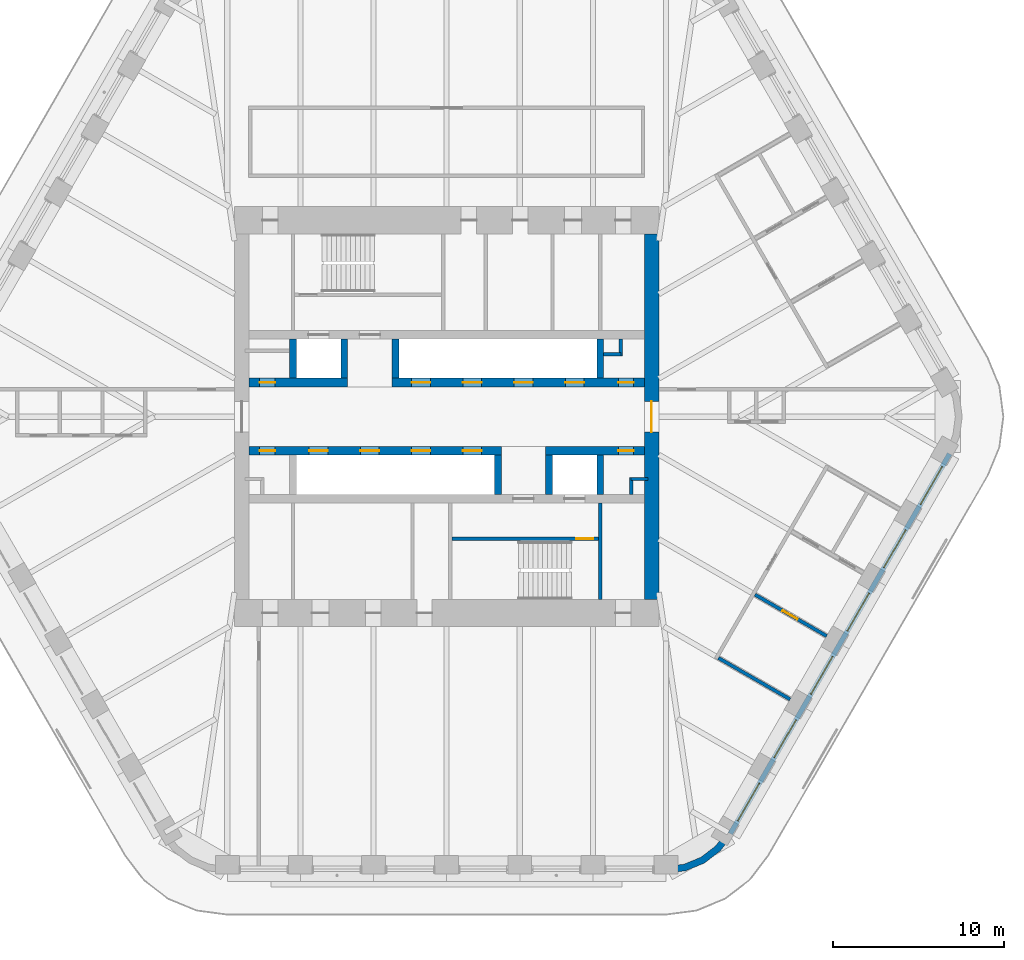
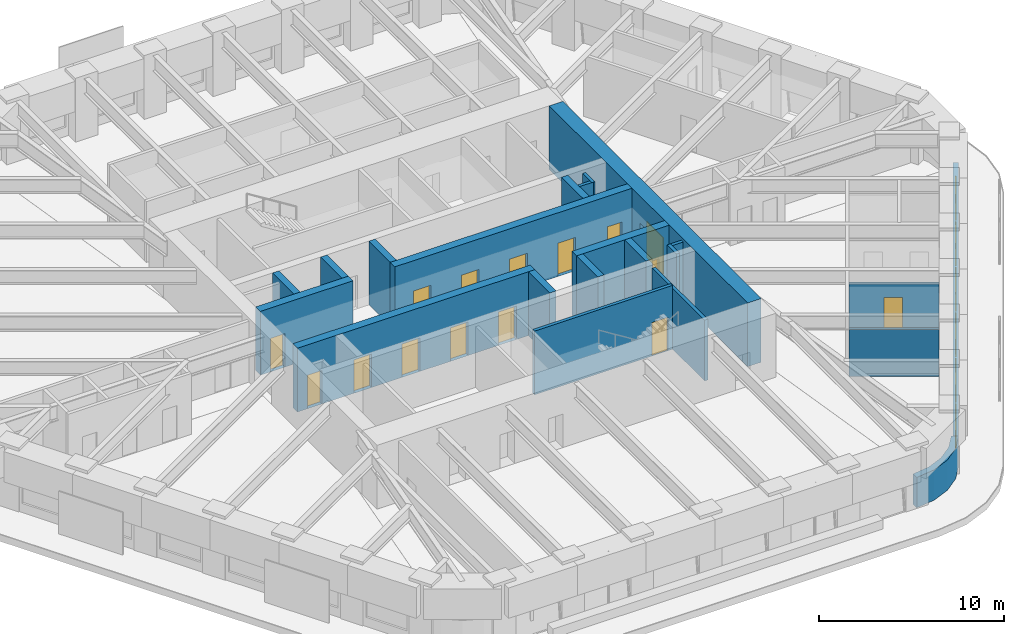
# One storey, part 14 of 18: 22 walls, 15 doors, 6 windows, 21 openings.
"""IFC4 building model written with IfcOpenShell, lengths in metres."""

from ifc_helpers import new_model, si_unit, direction, frame, frame_2d, origin, place, context, subcontext, project, spatial, polyline, rectangle, outline, extrude, material, layer, layer_set, type_object, element, fill, save


model = new_model("IFC4")

# Units and contexts
model_context = context("Model", 3, precision=1e-05, world=origin(), true_north=direction((0.0, 1.0)))
body_context = subcontext(model_context, "Body", "Model", "MODEL_VIEW")
ifc_project = project(units=[si_unit("LENGTHUNIT", "METRE"), si_unit("AREAUNIT", "SQUARE_METRE"), si_unit("VOLUMEUNIT", "CUBIC_METRE"), si_unit("PLANEANGLEUNIT", "RADIAN"), si_unit("MASSUNIT", "GRAM", prefix="KILO")], contexts=[model_context])

# Site, building, storey
site_placement = place(None, origin())
site = spatial("IfcSite", under=ifc_project, at=site_placement, CompositionType="ELEMENT")
building_placement = place(site_placement, origin())
building = spatial("IfcBuilding", under=site, at=building_placement, Name="Tarfa Lantern Tower", CompositionType="ELEMENT")
storey_placement = place(building_placement, frame((0.0, 0.0, 319.89990234375)))
storey = spatial("IfcBuildingStorey", under=building, at=storey_placement, Name="L72", CompositionType="ELEMENT", Elevation=319.89990234375)

# Wall, openings, windows
ifc_material_1 = material(Name="Limestone cladding on blockwork", Category="masonry")
ifc_layer_1 = layer(ifc_material_1, 0.300048828125)
ifc_layer_set_1 = layer_set([ifc_layer_1], Name="EW1 STONE-CLAD WALL 300")
wall_type_1 = type_object("IfcWallType", Name="EW1 STONE-CLAD WALL 300", PredefinedType="SOLIDWALL", material=ifc_layer_set_1)
wall_1_placement = place(storey_placement, frame((16.61328125, -24.425048828125, 0.0), z_axis=(0.0, 0.0, 1.0), x_axis=(0.499997191038, 0.866027025533, 0.0)))
wall_1 = element("IfcWall", 1, at=wall_1_placement, inside=storey, type_object=wall_type_1, Name="Stone wall SE", PredefinedType="SOLIDWALL", context=body_context, shape_type="SweptSolid", body=[
    extrude(rectangle(XDim=25.692138671875, YDim=0.300048828125, at=frame_2d((12.84619140625, 0.0))), origin(), (0.0, 0.0, 1.0), 2.0),
])
opening_1_placement = place(wall_1_placement, frame((0.865966796875, 0.0, 0.60009765625)))
opening_1 = element("IfcOpeningElement", 2, at=opening_1_placement, cuts=wall_1, Name="Opening W16", PredefinedType="OPENING", context=body_context, shape_type="SweptSolid", body=[
    extrude(rectangle(XDim=2.550048828125, YDim=1.14990234375, at=frame_2d((1.27490234375, 0.574951171875))), frame((0.0, 0.159912109375, 0.0), z_axis=(0.0, -1.0, 0.0), x_axis=(1.0, 0.0, 0.0)), (0.0, 0.0, 1.0), 0.320068359375),
])
opening_2_placement = place(wall_1_placement, frame((5.14794921875, 0.0, 0.60009765625)))
opening_2 = element("IfcOpeningElement", 3, at=opening_2_placement, cuts=wall_1, Name="Opening W16", PredefinedType="OPENING", context=body_context, shape_type="SweptSolid", body=[
    extrude(rectangle(XDim=2.550048828125, YDim=1.14990234375, at=frame_2d((1.27490234375, 0.574951171875))), frame((0.0, 0.159912109375, 0.0), z_axis=(0.0, -1.0, 0.0), x_axis=(1.0, 0.0, 0.0)), (0.0, 0.0, 1.0), 0.320068359375),
])
opening_3_placement = place(wall_1_placement, frame((9.429931640625, 0.0, 0.60009765625)))
opening_3 = element("IfcOpeningElement", 4, at=opening_3_placement, cuts=wall_1, Name="Opening W16", PredefinedType="OPENING", context=body_context, shape_type="SweptSolid", body=[
    extrude(rectangle(XDim=2.550048828125, YDim=1.14990234375, at=frame_2d((1.27490234375, 0.574951171875))), frame((0.0, 0.159912109375, 0.0), z_axis=(0.0, -1.0, 0.0), x_axis=(1.0, 0.0, 0.0)), (0.0, 0.0, 1.0), 0.320068359375),
])
opening_4_placement = place(wall_1_placement, frame((13.712158203125, 0.0, 0.60009765625)))
opening_4 = element("IfcOpeningElement", 5, at=opening_4_placement, cuts=wall_1, Name="Opening W16", PredefinedType="OPENING", context=body_context, shape_type="SweptSolid", body=[
    extrude(rectangle(XDim=2.550048828125, YDim=1.14990234375, at=frame_2d((1.27490234375, 0.574951171875))), frame((0.0, 0.159912109375, 0.0), z_axis=(0.0, -1.0, 0.0), x_axis=(1.0, 0.0, 0.0)), (0.0, 0.0, 1.0), 0.320068359375),
])
opening_5_placement = place(wall_1_placement, frame((17.994140625, 0.0, 0.60009765625)))
opening_5 = element("IfcOpeningElement", 6, at=opening_5_placement, cuts=wall_1, Name="Opening W16", PredefinedType="OPENING", context=body_context, shape_type="SweptSolid", body=[
    extrude(rectangle(XDim=2.550048828125, YDim=1.14990234375, at=frame_2d((1.27490234375, 0.574951171875))), frame((0.0, 0.159912109375, 0.0), z_axis=(0.0, -1.0, 0.0), x_axis=(1.0, 0.0, 0.0)), (0.0, 0.0, 1.0), 0.320068359375),
])
opening_6_placement = place(wall_1_placement, frame((22.276123046875, 0.0, 0.60009765625)))
opening_6 = element("IfcOpeningElement", 7, at=opening_6_placement, cuts=wall_1, Name="Opening W16", PredefinedType="OPENING", context=body_context, shape_type="SweptSolid", body=[
    extrude(rectangle(XDim=2.550048828125, YDim=1.14990234375, at=frame_2d((1.27490234375, 0.574951171875))), frame((0.0, 0.159912109375, 0.0), z_axis=(0.0, -1.0, 0.0), x_axis=(1.0, 0.0, 0.0)), (0.0, 0.0, 1.0), 0.320068359375),
])
ifc_material_2 = material(Name="Aluminium frame, double glazed", Category="aluminium")
window_type = type_object("IfcWindowType", Name="W16 FULL-HEIGHT GLAZING 2550x1150", PartitioningType="SINGLE_PANEL", PredefinedType="WINDOW", material=ifc_material_2)
window_1_placement = place(opening_1_placement, origin())
window_1 = element("IfcWindow", 8, at=window_1_placement, inside=storey, type_object=window_type, Name="Window SE 1", OverallHeight=1.14990234375, OverallWidth=2.550048828125, PartitioningType="SINGLE_PANEL", PredefinedType="WINDOW", context=body_context, shape_type="SweptSolid", body=[
    extrude(rectangle(XDim=2.550048828125, YDim=1.14990234375, at=frame_2d((1.27490234375, 0.574951171875))), frame((0.0, 0.030029296875, 0.0), z_axis=(0.0, -1.0, 0.0), x_axis=(1.0, 0.0, 0.0)), (0.0, 0.0, 1.0), 0.06005859375),
])
fill(opening_1, window_1)
window_2_placement = place(opening_2_placement, origin())
window_2 = element("IfcWindow", 9, at=window_2_placement, inside=storey, type_object=window_type, Name="Window SE 2", OverallHeight=1.14990234375, OverallWidth=2.550048828125, PartitioningType="SINGLE_PANEL", PredefinedType="WINDOW", context=body_context, shape_type="SweptSolid", body=[
    extrude(rectangle(XDim=2.550048828125, YDim=1.14990234375, at=frame_2d((1.27490234375, 0.574951171875))), frame((0.0, 0.030029296875, 0.0), z_axis=(0.0, -1.0, 0.0), x_axis=(1.0, 0.0, 0.0)), (0.0, 0.0, 1.0), 0.06005859375),
])
fill(opening_2, window_2)
window_3_placement = place(opening_3_placement, origin())
window_3 = element("IfcWindow", 10, at=window_3_placement, inside=storey, type_object=window_type, Name="Window SE 3", OverallHeight=1.14990234375, OverallWidth=2.550048828125, PartitioningType="SINGLE_PANEL", PredefinedType="WINDOW", context=body_context, shape_type="SweptSolid", body=[
    extrude(rectangle(XDim=2.550048828125, YDim=1.14990234375, at=frame_2d((1.27490234375, 0.574951171875))), frame((0.0, 0.030029296875, 0.0), z_axis=(0.0, -1.0, 0.0), x_axis=(1.0, 0.0, 0.0)), (0.0, 0.0, 1.0), 0.06005859375),
])
fill(opening_3, window_3)
window_4_placement = place(opening_4_placement, origin())
window_4 = element("IfcWindow", 11, at=window_4_placement, inside=storey, type_object=window_type, Name="Window SE 4", OverallHeight=1.14990234375, OverallWidth=2.550048828125, PartitioningType="SINGLE_PANEL", PredefinedType="WINDOW", context=body_context, shape_type="SweptSolid", body=[
    extrude(rectangle(XDim=2.550048828125, YDim=1.14990234375, at=frame_2d((1.27490234375, 0.574951171875))), frame((0.0, 0.030029296875, 0.0), z_axis=(0.0, -1.0, 0.0), x_axis=(1.0, 0.0, 0.0)), (0.0, 0.0, 1.0), 0.06005859375),
])
fill(opening_4, window_4)
window_5_placement = place(opening_5_placement, origin())
window_5 = element("IfcWindow", 12, at=window_5_placement, inside=storey, type_object=window_type, Name="Window SE 5", OverallHeight=1.14990234375, OverallWidth=2.550048828125, PartitioningType="SINGLE_PANEL", PredefinedType="WINDOW", context=body_context, shape_type="SweptSolid", body=[
    extrude(rectangle(XDim=2.550048828125, YDim=1.14990234375, at=frame_2d((1.27490234375, 0.574951171875))), frame((0.0, 0.030029296875, 0.0), z_axis=(0.0, -1.0, 0.0), x_axis=(1.0, 0.0, 0.0)), (0.0, 0.0, 1.0), 0.06005859375),
])
fill(opening_5, window_5)
window_6_placement = place(opening_6_placement, origin())
window_6 = element("IfcWindow", 13, at=window_6_placement, inside=storey, type_object=window_type, Name="Window SE 6", OverallHeight=1.14990234375, OverallWidth=2.550048828125, PartitioningType="SINGLE_PANEL", PredefinedType="WINDOW", context=body_context, shape_type="SweptSolid", body=[
    extrude(rectangle(XDim=2.550048828125, YDim=1.14990234375, at=frame_2d((1.27490234375, 0.574951171875))), frame((0.0, 0.030029296875, 0.0), z_axis=(0.0, -1.0, 0.0), x_axis=(1.0, 0.0, 0.0)), (0.0, 0.0, 1.0), 0.06005859375),
])
fill(opening_6, window_6)

# Walls
ifc_layer_2 = layer(ifc_material_1, 0.39990234375)
ifc_layer_set_2 = layer_set([ifc_layer_2], Name="EW2 CURVED STONE CORNER 400")
wall_type_2 = type_object("IfcWallType", Name="EW2 CURVED STONE CORNER 400", PredefinedType="SOLIDWALL", material=ifc_layer_set_2)
wall_2_placement = place(storey_placement, origin())
element("IfcWall", 14, at=wall_2_placement, inside=storey, type_object=wall_type_2, Name="Stone corner S-SE", PredefinedType="SOLIDWALL", context=body_context, shape_type="SweptSolid", body=[
    extrude(outline(polyline([(12.845947265625, -26.75), (14.0107421875, -26.5966796875), (15.095947265625, -26.147216796875), (16.028076171875, -25.431884765625), (16.7431640625, -24.5), (16.396728515625, -24.300048828125), (15.7451171875, -25.149169921875), (14.89599609375, -25.80078125), (13.9072265625, -26.210205078125), (12.845947265625, -26.35009765625), (12.845947265625, -26.75)])), origin(), (0.0, 0.0, 1.0), 2.0),
])
ifc_material_3 = material(Name="Concrete blockwork", Category="masonry")
ifc_layer_3 = layer(ifc_material_3, 0.199951171875)
ifc_layer_set_3 = layer_set([ifc_layer_3], Name="IW1 BLOCKWORK PARTITION 200 EI 120")
wall_type_3 = type_object("IfcWallType", Name="IW1 BLOCKWORK PARTITION 200 EI 120", PredefinedType="PARTITIONING", material=ifc_layer_set_3)
wall_3_placement = place(storey_placement, frame((9.0, -5.050048828125, 0.0), z_axis=(0.0, 0.0, 1.0), x_axis=(0.0, -1.0, 0.0)))
element("IfcWall", 15, at=wall_3_placement, inside=storey, type_object=wall_type_3, Name="Core partition", PredefinedType="PARTITIONING", context=body_context, shape_type="SweptSolid", body=[
    extrude(rectangle(XDim=5.64990234375, YDim=0.199951171875, at=frame_2d((2.824951171875, 0.0))), origin(), (0.0, 0.0, 1.0), 4.0),
])
for number, where, z_axis, x_axis, name in (
    (16, (9.199951171875, 3.64990234375, 0.0), (0.0, 0.0, 1.0), (1.0, 0.0, 0.0), "Core partition"),
    (17, (10.199951171875, 3.550048828125, 0.0), (0.0, 0.0, 1.0), (0.0, 1.0, 0.0), "Core partition"),
    (18, (11.800048828125, -3.64990234375, 0.0), (0.0, 0.0, 1.0), (-1.0, 0.0, 0.0), "Core partition"),
    (19, (10.800048828125, -3.550048828125, 0.0), (0.0, 0.0, 1.0), (0.0, -1.0, 0.0), "Core partition"),
):
    element("IfcWall", number, at=place(storey_placement, frame(where, z_axis=z_axis, x_axis=x_axis)), inside=storey, type_object=wall_type_3, Name=name, PredefinedType="PARTITIONING", context=body_context, shape_type="SweptSolid", body=[
        extrude(rectangle(XDim=1.0, YDim=0.199951171875, at=frame_2d((0.5, 0.0))), origin(), (0.0, 0.0, 1.0), 4.0),
    ])
ifc_material_4 = material(Name="Gypsum board on steel studs", Category="steel")
ifc_layer_4 = layer(ifc_material_4, 0.2099609375)
ifc_layer_set_4 = layer_set([ifc_layer_4], Name="IW2 ACOUSTIC PARTITION 200")
wall_type_4 = type_object("IfcWallType", Name="IW2 ACOUSTIC PARTITION 200", PredefinedType="PARTITIONING", material=ifc_layer_set_4)
wall_4_placement = place(storey_placement, frame((15.91552734375, -14.13330078125, 0.0), z_axis=(0.0, 0.0, 1.0), x_axis=(0.866032190624, -0.499988244665, 0.0)))
element("IfcWall", 20, at=wall_4_placement, inside=storey, type_object=wall_type_4, Name="Partition", PredefinedType="PARTITIONING", context=body_context, shape_type="SweptSolid", body=[
    extrude(rectangle(XDim=4.85009765625, YDim=0.199951171875, at=frame_2d((2.425048828125, 0.0))), origin(), (0.0, 0.0, 1.0), 3.081787109375),
])

# Wall, opening, door
wall_5_placement = place(storey_placement, frame((18.056640625, -10.425048828125, 0.0), z_axis=(0.0, 0.0, 1.0), x_axis=(0.866019606374, -0.500010041276, 0.0)))
wall_5 = element("IfcWall", 21, at=wall_5_placement, inside=storey, type_object=wall_type_4, Name="Partition", PredefinedType="PARTITIONING", context=body_context, shape_type="SweptSolid", body=[
    extrude(rectangle(XDim=4.85009765625, YDim=0.199951171875, at=frame_2d((2.425048828125, 0.0))), origin(), (0.0, 0.0, 1.0), 3.081787109375),
])
opening_7_placement = place(wall_5_placement, frame((1.875, 0.0, 0.0)))
opening_7 = element("IfcOpeningElement", 22, at=opening_7_placement, cuts=wall_5, Name="Opening D25", PredefinedType="OPENING", context=body_context, shape_type="SweptSolid", body=[
    extrude(rectangle(XDim=1.0, YDim=2.199951171875, at=frame_2d((0.5, 1.10009765625))), frame((0.0, 0.10986328125, 0.0), z_axis=(0.0, -1.0, 0.0), x_axis=(1.0, 0.0, 0.0)), (0.0, 0.0, 1.0), 0.219970703125),
])
ifc_material_5 = material(Name="Timber door", Category="wood")
door_type_1 = type_object("IfcDoorType", Name="DR1 ROOM DOOR 1000x2200", OperationType="SINGLE_SWING_LEFT", PredefinedType="DOOR", material=ifc_material_5)
door_1_placement = place(opening_7_placement, frame((1.0, 0.0, 0.0), z_axis=(0.0, 0.0, 1.0), x_axis=(-1.0, 0.0, 0.0)))
door_1 = element("IfcDoor", 23, at=door_1_placement, inside=storey, type_object=door_type_1, Name="Executive office door", OperationType="SINGLE_SWING_LEFT", OverallHeight=2.199951171875, OverallWidth=1.0, PredefinedType="DOOR", context=body_context, shape_type="SweptSolid", body=[
    extrude(rectangle(XDim=1.0, YDim=2.199951171875, at=frame_2d((0.5, 1.10009765625))), frame((0.0, 0.02490234375, 0.0), z_axis=(0.0, -1.0, 0.0), x_axis=(1.0, 0.0, 0.0)), (0.0, 0.0, 1.0), 0.050048828125),
])
fill(opening_7, door_1)

ifc_material_6 = material(Name="Concrete C80/95", Category="concrete")
ifc_layer_5 = layer(ifc_material_6, 0.199951171875)
ifc_layer_set_5 = layer_set([ifc_layer_5], Name="SW12 CORE WALL 200")
wall_type_5 = type_object("IfcWallType", Name="SW12 CORE WALL 200", PredefinedType="SHEAR", material=ifc_layer_set_5)
wall_6_placement = place(storey_placement, frame((8.89990234375, -7.14990234375, 0.0), z_axis=(0.0, 0.0, 1.0), x_axis=(-1.0, 0.0, 0.0)))
wall_6 = element("IfcWall", 24, at=wall_6_placement, inside=storey, type_object=wall_type_5, Name="Core wall stair partition S", PredefinedType="SHEAR", context=body_context, shape_type="SweptSolid", body=[
    extrude(rectangle(XDim=8.599853515625, YDim=0.199951171875, at=frame_2d((4.2998046875, 0.0))), origin(), (0.0, 0.0, 1.0), 4.2001953125),
])
opening_8_placement = place(wall_6_placement, frame((0.300048828125, 0.0, 0.0)))
opening_8 = element("IfcOpeningElement", 25, at=opening_8_placement, cuts=wall_6, Name="Opening D20", PredefinedType="OPENING", context=body_context, shape_type="SweptSolid", body=[
    extrude(rectangle(XDim=1.0, YDim=2.199951171875, at=frame_2d((0.5, 1.10009765625))), frame((0.0, 0.10986328125, 0.0), z_axis=(0.0, -1.0, 0.0), x_axis=(1.0, 0.0, 0.0)), (0.0, 0.0, 1.0), 0.219970703125),
])
ifc_material_7 = material(Name="Steel fire door", Category="steel")
door_type_2 = type_object("IfcDoorType", Name="DF2 STAIR DOOR 1000x2200", OperationType="SINGLE_SWING_LEFT", PredefinedType="DOOR", material=ifc_material_7)
door_2_placement = place(opening_8_placement, origin())
door_2 = element("IfcDoor", 26, at=door_2_placement, inside=storey, type_object=door_type_2, Name="Stair door", OperationType="SINGLE_SWING_RIGHT", OverallHeight=2.199951171875, OverallWidth=1.0, PredefinedType="DOOR", context=body_context, shape_type="SweptSolid", body=[
    extrude(rectangle(XDim=1.0, YDim=2.199951171875, at=frame_2d((0.5, 1.10009765625))), frame((0.0, 0.02490234375, 0.0), z_axis=(0.0, -1.0, 0.0), x_axis=(1.0, 0.0, 0.0)), (0.0, 0.0, 1.0), 0.050048828125),
])
fill(opening_8, door_2)

ifc_layer_6 = layer(ifc_material_6, 0.85009765625)
ifc_layer_set_6 = layer_set([ifc_layer_6], Name="SW3 CORE WALL 850")
wall_type_6 = type_object("IfcWallType", Name="SW3 CORE WALL 850", PredefinedType="SHEAR", material=ifc_layer_set_6)
wall_7_placement = place(storey_placement, frame((12.0, -10.699951171875, 0.0), z_axis=(0.0, 0.0, 1.0), x_axis=(0.0, 1.0, 0.0)))
wall_7 = element("IfcWall", 27, at=wall_7_placement, inside=storey, type_object=wall_type_6, Name="Core wall E", PredefinedType="SHEAR", context=body_context, shape_type="SweptSolid", body=[
    extrude(rectangle(XDim=21.39990234375, YDim=0.85009765625, at=frame_2d((10.699951171875, 0.0))), origin(), (0.0, 0.0, 1.0), 4.2001953125),
])
opening_9_placement = place(wall_7_placement, frame((9.800048828125, 0.0, 0.0)))
opening_9 = element("IfcOpeningElement", 28, at=opening_9_placement, cuts=wall_7, Name="Opening D07", PredefinedType="OPENING", context=body_context, shape_type="SweptSolid", body=[
    extrude(rectangle(XDim=1.800048828125, YDim=2.39990234375, at=frame_2d((0.89990234375, 1.199951171875))), frame((0.0, 0.43505859375, 0.0), z_axis=(0.0, -1.0, 0.0), x_axis=(1.0, 0.0, 0.0)), (0.0, 0.0, 1.0), 0.8701171875),
])
door_type_3 = type_object("IfcDoorType", Name="DL1 LOBBY DOOR 1800x2400", OperationType="DOUBLE_DOOR_SINGLE_SWING", PredefinedType="DOOR", material=ifc_material_7)
door_3_placement = place(opening_9_placement, frame((1.800048828125, 0.0, 0.0), z_axis=(0.0, 0.0, 1.0), x_axis=(-1.0, 0.0, 0.0)))
door_3 = element("IfcDoor", 29, at=door_3_placement, inside=storey, type_object=door_type_3, Name="Lift lobby door", OperationType="DOUBLE_DOOR_SINGLE_SWING", OverallHeight=2.39990234375, OverallWidth=1.800048828125, PredefinedType="DOOR", context=body_context, shape_type="SweptSolid", body=[
    extrude(rectangle(XDim=1.800048828125, YDim=2.39990234375, at=frame_2d((0.89990234375, 1.199951171875))), frame((0.0, 0.02490234375, 0.0), z_axis=(0.0, -1.0, 0.0), x_axis=(1.0, 0.0, 0.0)), (0.0, 0.0, 1.0), 0.050048828125),
])
fill(opening_9, door_3)

ifc_layer_7 = layer(ifc_material_6, 0.5)
ifc_layer_set_7 = layer_set([ifc_layer_7], Name="SW5 CORE WALL 500")
wall_type_7 = type_object("IfcWallType", Name="SW5 CORE WALL 500", PredefinedType="SHEAR", material=ifc_layer_set_7)
wall_8_placement = place(storey_placement, frame((-11.574951171875, 2.0, 0.0), z_axis=(0.0, 0.0, 1.0), x_axis=(1.0, 0.0, 0.0)))
wall_8 = element("IfcWall", 30, at=wall_8_placement, inside=storey, type_object=wall_type_7, Name="Core wall lobby west N", PredefinedType="SHEAR", context=body_context, shape_type="SweptSolid", body=[
    extrude(rectangle(XDim=5.77490234375, YDim=0.5, at=frame_2d((2.887451171875, 0.0))), origin(), (0.0, 0.0, 1.0), 4.2001953125),
])
opening_10_placement = place(wall_8_placement, frame((0.625, 0.0, 0.0)))
opening_10 = element("IfcOpeningElement", 31, at=opening_10_placement, cuts=wall_8, Name="Opening D11", PredefinedType="OPENING", context=body_context, shape_type="SweptSolid", body=[
    extrude(rectangle(XDim=0.89990234375, YDim=2.199951171875, at=frame_2d((0.449951171875, 1.10009765625))), frame((0.0, 0.260009765625, 0.0), z_axis=(0.0, -1.0, 0.0), x_axis=(1.0, 0.0, 0.0)), (0.0, 0.0, 1.0), 0.52001953125),
])
door_type_4 = type_object("IfcDoorType", Name="DF6 SERVICE ROOM DOOR 900x2200", OperationType="SINGLE_SWING_LEFT", PredefinedType="DOOR", material=ifc_material_7)
door_4_placement = place(opening_10_placement, origin())
door_4 = element("IfcDoor", 32, at=door_4_placement, inside=storey, type_object=door_type_4, Name="Service room door", OperationType="SINGLE_SWING_RIGHT", OverallHeight=2.199951171875, OverallWidth=0.89990234375, PredefinedType="DOOR", context=body_context, shape_type="SweptSolid", body=[
    extrude(rectangle(XDim=0.89990234375, YDim=2.199951171875, at=frame_2d((0.449951171875, 1.10009765625))), frame((0.0, 0.02490234375, 0.0), z_axis=(0.0, -1.0, 0.0), x_axis=(1.0, 0.0, 0.0)), (0.0, 0.0, 1.0), 0.050048828125),
])
fill(opening_10, door_4)

# Wall, openings, doors
wall_9_placement = place(storey_placement, frame((-3.199951171875, 2.0, 0.0), z_axis=(0.0, 0.0, 1.0), x_axis=(1.0, 0.0, 0.0)))
wall_9 = element("IfcWall", 33, at=wall_9_placement, inside=storey, type_object=wall_type_7, Name="Core wall lobby east N", PredefinedType="SHEAR", context=body_context, shape_type="SweptSolid", body=[
    extrude(rectangle(XDim=14.77490234375, YDim=0.5, at=frame_2d((7.387451171875, 0.0))), origin(), (0.0, 0.0, 1.0), 4.2001953125),
])
opening_11_placement = place(wall_9_placement, frame((13.25, 0.0, 0.0)))
opening_11 = element("IfcOpeningElement", 34, at=opening_11_placement, cuts=wall_9, Name="Opening D09", PredefinedType="OPENING", context=body_context, shape_type="SweptSolid", body=[
    extrude(rectangle(XDim=0.89990234375, YDim=2.199951171875, at=frame_2d((0.449951171875, 1.10009765625))), frame((0.0, 0.260009765625, 0.0), z_axis=(0.0, -1.0, 0.0), x_axis=(1.0, 0.0, 0.0)), (0.0, 0.0, 1.0), 0.52001953125),
])
opening_12_placement = place(wall_9_placement, frame((1.14990234375, 0.0, 0.0)))
opening_12 = element("IfcOpeningElement", 35, at=opening_12_placement, cuts=wall_9, Name="Opening LD03", PredefinedType="OPENING", context=body_context, shape_type="SweptSolid", body=[
    extrude(rectangle(XDim=1.10009765625, YDim=2.199951171875, at=frame_2d((0.550048828125, 1.10009765625))), frame((0.0, 0.260009765625, 0.0), z_axis=(0.0, -1.0, 0.0), x_axis=(1.0, 0.0, 0.0)), (0.0, 0.0, 1.0), 0.52001953125),
])
opening_13_placement = place(wall_9_placement, frame((4.14990234375, 0.0, 0.0)))
opening_13 = element("IfcOpeningElement", 36, at=opening_13_placement, cuts=wall_9, Name="Opening LD04", PredefinedType="OPENING", context=body_context, shape_type="SweptSolid", body=[
    extrude(rectangle(XDim=1.10009765625, YDim=2.199951171875, at=frame_2d((0.550048828125, 1.10009765625))), frame((0.0, 0.260009765625, 0.0), z_axis=(0.0, -1.0, 0.0), x_axis=(1.0, 0.0, 0.0)), (0.0, 0.0, 1.0), 0.52001953125),
])
opening_14_placement = place(wall_9_placement, frame((7.14990234375, 0.0, 0.0)))
opening_14 = element("IfcOpeningElement", 37, at=opening_14_placement, cuts=wall_9, Name="Opening LD05", PredefinedType="OPENING", context=body_context, shape_type="SweptSolid", body=[
    extrude(rectangle(XDim=1.10009765625, YDim=2.199951171875, at=frame_2d((0.550048828125, 1.10009765625))), frame((0.0, 0.260009765625, 0.0), z_axis=(0.0, -1.0, 0.0), x_axis=(1.0, 0.0, 0.0)), (0.0, 0.0, 1.0), 0.52001953125),
])
opening_15_placement = place(wall_9_placement, frame((10.14990234375, 0.0, 0.0)))
opening_15 = element("IfcOpeningElement", 38, at=opening_15_placement, cuts=wall_9, Name="Opening LD06", PredefinedType="OPENING", context=body_context, shape_type="SweptSolid", body=[
    extrude(rectangle(XDim=1.10009765625, YDim=2.199951171875, at=frame_2d((0.550048828125, 1.10009765625))), frame((0.0, 0.260009765625, 0.0), z_axis=(0.0, -1.0, 0.0), x_axis=(1.0, 0.0, 0.0)), (0.0, 0.0, 1.0), 0.52001953125),
])
door_5_placement = place(opening_11_placement, origin())
door_5 = element("IfcDoor", 39, at=door_5_placement, inside=storey, type_object=door_type_4, Name="Service room door", OperationType="SINGLE_SWING_LEFT", OverallHeight=2.199951171875, OverallWidth=0.89990234375, PredefinedType="DOOR", context=body_context, shape_type="SweptSolid", body=[
    extrude(rectangle(XDim=0.89990234375, YDim=2.199951171875, at=frame_2d((0.449951171875, 1.10009765625))), frame((0.0, 0.02490234375, 0.0), z_axis=(0.0, -1.0, 0.0), x_axis=(1.0, 0.0, 0.0)), (0.0, 0.0, 1.0), 0.050048828125),
])
fill(opening_11, door_5)
ifc_material_8 = material(Name="Stainless steel lift door", Category="steel")
door_type_5 = type_object("IfcDoorType", Name="LD2 LIFT LANDING DOOR 1100x2200", OperationType="SLIDING_TO_LEFT", PredefinedType="DOOR", material=ifc_material_8)
door_6_placement = place(opening_12_placement, frame((1.10009765625, 0.0, 0.0), z_axis=(0.0, 0.0, 1.0), x_axis=(-1.0, 0.0, 0.0)))
door_6 = element("IfcDoor", 40, at=door_6_placement, inside=storey, type_object=door_type_5, Name="Landing door PD1", OperationType="SLIDING_TO_LEFT", OverallHeight=2.199951171875, OverallWidth=1.10009765625, PredefinedType="DOOR", context=body_context, shape_type="SweptSolid", body=[
    extrude(rectangle(XDim=1.10009765625, YDim=2.199951171875, at=frame_2d((0.550048828125, 1.10009765625))), frame((0.0, 0.02490234375, 0.0), z_axis=(0.0, -1.0, 0.0), x_axis=(1.0, 0.0, 0.0)), (0.0, 0.0, 1.0), 0.050048828125),
])
fill(opening_12, door_6)
door_7_placement = place(opening_13_placement, frame((1.10009765625, 0.0, 0.0), z_axis=(0.0, 0.0, 1.0), x_axis=(-1.0, 0.0, 0.0)))
door_7 = element("IfcDoor", 41, at=door_7_placement, inside=storey, type_object=door_type_5, Name="Landing door PD2", OperationType="SLIDING_TO_LEFT", OverallHeight=2.199951171875, OverallWidth=1.10009765625, PredefinedType="DOOR", context=body_context, shape_type="SweptSolid", body=[
    extrude(rectangle(XDim=1.10009765625, YDim=2.199951171875, at=frame_2d((0.550048828125, 1.10009765625))), frame((0.0, 0.02490234375, 0.0), z_axis=(0.0, -1.0, 0.0), x_axis=(1.0, 0.0, 0.0)), (0.0, 0.0, 1.0), 0.050048828125),
])
fill(opening_13, door_7)
door_8_placement = place(opening_14_placement, frame((1.10009765625, 0.0, 0.0), z_axis=(0.0, 0.0, 1.0), x_axis=(-1.0, 0.0, 0.0)))
door_8 = element("IfcDoor", 42, at=door_8_placement, inside=storey, type_object=door_type_5, Name="Landing door PD3", OperationType="SLIDING_TO_LEFT", OverallHeight=2.199951171875, OverallWidth=1.10009765625, PredefinedType="DOOR", context=body_context, shape_type="SweptSolid", body=[
    extrude(rectangle(XDim=1.10009765625, YDim=2.199951171875, at=frame_2d((0.550048828125, 1.10009765625))), frame((0.0, 0.02490234375, 0.0), z_axis=(0.0, -1.0, 0.0), x_axis=(1.0, 0.0, 0.0)), (0.0, 0.0, 1.0), 0.050048828125),
])
fill(opening_14, door_8)
door_9_placement = place(opening_15_placement, frame((1.10009765625, 0.0, 0.0), z_axis=(0.0, 0.0, 1.0), x_axis=(-1.0, 0.0, 0.0)))
door_9 = element("IfcDoor", 43, at=door_9_placement, inside=storey, type_object=door_type_5, Name="Landing door PD4", OperationType="SLIDING_TO_LEFT", OverallHeight=2.199951171875, OverallWidth=1.10009765625, PredefinedType="DOOR", context=body_context, shape_type="SweptSolid", body=[
    extrude(rectangle(XDim=1.10009765625, YDim=2.199951171875, at=frame_2d((0.550048828125, 1.10009765625))), frame((0.0, 0.02490234375, 0.0), z_axis=(0.0, -1.0, 0.0), x_axis=(1.0, 0.0, 0.0)), (0.0, 0.0, 1.0), 0.050048828125),
])
fill(opening_15, door_9)

# Wall, opening, door
wall_10_placement = place(storey_placement, frame((11.574951171875, -2.0, 0.0), z_axis=(0.0, 0.0, 1.0), x_axis=(-1.0, 0.0, 0.0)))
wall_10 = element("IfcWall", 44, at=wall_10_placement, inside=storey, type_object=wall_type_7, Name="Core wall lobby west S", PredefinedType="SHEAR", context=body_context, shape_type="SweptSolid", body=[
    extrude(rectangle(XDim=5.77490234375, YDim=0.5, at=frame_2d((2.887451171875, 0.0))), origin(), (0.0, 0.0, 1.0), 4.2001953125),
])
opening_16_placement = place(wall_10_placement, frame((0.625, 0.0, 0.0)))
opening_16 = element("IfcOpeningElement", 45, at=opening_16_placement, cuts=wall_10, Name="Opening D12", PredefinedType="OPENING", context=body_context, shape_type="SweptSolid", body=[
    extrude(rectangle(XDim=0.89990234375, YDim=2.199951171875, at=frame_2d((0.449951171875, 1.10009765625))), frame((0.0, 0.260009765625, 0.0), z_axis=(0.0, -1.0, 0.0), x_axis=(1.0, 0.0, 0.0)), (0.0, 0.0, 1.0), 0.52001953125),
])
door_10_placement = place(opening_16_placement, origin())
door_10 = element("IfcDoor", 46, at=door_10_placement, inside=storey, type_object=door_type_4, Name="Service room door", OperationType="SINGLE_SWING_RIGHT", OverallHeight=2.199951171875, OverallWidth=0.89990234375, PredefinedType="DOOR", context=body_context, shape_type="SweptSolid", body=[
    extrude(rectangle(XDim=0.89990234375, YDim=2.199951171875, at=frame_2d((0.449951171875, 1.10009765625))), frame((0.0, 0.02490234375, 0.0), z_axis=(0.0, -1.0, 0.0), x_axis=(1.0, 0.0, 0.0)), (0.0, 0.0, 1.0), 0.050048828125),
])
fill(opening_16, door_10)

# Wall, openings, doors
wall_11_placement = place(storey_placement, frame((3.199951171875, -2.0, 0.0), z_axis=(0.0, 0.0, 1.0), x_axis=(-1.0, 0.0, 0.0)))
wall_11 = element("IfcWall", 47, at=wall_11_placement, inside=storey, type_object=wall_type_7, Name="Core wall lobby east S", PredefinedType="SHEAR", context=body_context, shape_type="SweptSolid", body=[
    extrude(rectangle(XDim=14.77490234375, YDim=0.5, at=frame_2d((7.387451171875, 0.0))), origin(), (0.0, 0.0, 1.0), 4.2001953125),
])
opening_17_placement = place(wall_11_placement, frame((13.25, 0.0, 0.0)))
opening_17 = element("IfcOpeningElement", 48, at=opening_17_placement, cuts=wall_11, Name="Opening D10", PredefinedType="OPENING", context=body_context, shape_type="SweptSolid", body=[
    extrude(rectangle(XDim=0.89990234375, YDim=2.199951171875, at=frame_2d((0.449951171875, 1.10009765625))), frame((0.0, 0.260009765625, 0.0), z_axis=(0.0, -1.0, 0.0), x_axis=(1.0, 0.0, 0.0)), (0.0, 0.0, 1.0), 0.52001953125),
])
opening_18_placement = place(wall_11_placement, frame((1.14990234375, 0.0, 0.0)))
opening_18 = element("IfcOpeningElement", 49, at=opening_18_placement, cuts=wall_11, Name="Opening LD07", PredefinedType="OPENING", context=body_context, shape_type="SweptSolid", body=[
    extrude(rectangle(XDim=1.10009765625, YDim=2.199951171875, at=frame_2d((0.550048828125, 1.10009765625))), frame((0.0, 0.260009765625, 0.0), z_axis=(0.0, -1.0, 0.0), x_axis=(1.0, 0.0, 0.0)), (0.0, 0.0, 1.0), 0.52001953125),
])
opening_19_placement = place(wall_11_placement, frame((4.14990234375, 0.0, 0.0)))
opening_19 = element("IfcOpeningElement", 50, at=opening_19_placement, cuts=wall_11, Name="Opening LD08", PredefinedType="OPENING", context=body_context, shape_type="SweptSolid", body=[
    extrude(rectangle(XDim=1.10009765625, YDim=2.199951171875, at=frame_2d((0.550048828125, 1.10009765625))), frame((0.0, 0.260009765625, 0.0), z_axis=(0.0, -1.0, 0.0), x_axis=(1.0, 0.0, 0.0)), (0.0, 0.0, 1.0), 0.52001953125),
])
opening_20_placement = place(wall_11_placement, frame((7.14990234375, 0.0, 0.0)))
opening_20 = element("IfcOpeningElement", 51, at=opening_20_placement, cuts=wall_11, Name="Opening LD09", PredefinedType="OPENING", context=body_context, shape_type="SweptSolid", body=[
    extrude(rectangle(XDim=1.10009765625, YDim=2.199951171875, at=frame_2d((0.550048828125, 1.10009765625))), frame((0.0, 0.260009765625, 0.0), z_axis=(0.0, -1.0, 0.0), x_axis=(1.0, 0.0, 0.0)), (0.0, 0.0, 1.0), 0.52001953125),
])
opening_21_placement = place(wall_11_placement, frame((10.14990234375, 0.0, 0.0)))
opening_21 = element("IfcOpeningElement", 52, at=opening_21_placement, cuts=wall_11, Name="Opening LD10", PredefinedType="OPENING", context=body_context, shape_type="SweptSolid", body=[
    extrude(rectangle(XDim=1.10009765625, YDim=2.199951171875, at=frame_2d((0.550048828125, 1.10009765625))), frame((0.0, 0.260009765625, 0.0), z_axis=(0.0, -1.0, 0.0), x_axis=(1.0, 0.0, 0.0)), (0.0, 0.0, 1.0), 0.52001953125),
])
door_11_placement = place(opening_17_placement, origin())
door_11 = element("IfcDoor", 53, at=door_11_placement, inside=storey, type_object=door_type_4, Name="Service room door", OperationType="SINGLE_SWING_LEFT", OverallHeight=2.199951171875, OverallWidth=0.89990234375, PredefinedType="DOOR", context=body_context, shape_type="SweptSolid", body=[
    extrude(rectangle(XDim=0.89990234375, YDim=2.199951171875, at=frame_2d((0.449951171875, 1.10009765625))), frame((0.0, 0.02490234375, 0.0), z_axis=(0.0, -1.0, 0.0), x_axis=(1.0, 0.0, 0.0)), (0.0, 0.0, 1.0), 0.050048828125),
])
fill(opening_17, door_11)
door_12_placement = place(opening_18_placement, frame((1.10009765625, 0.0, 0.0), z_axis=(0.0, 0.0, 1.0), x_axis=(-1.0, 0.0, 0.0)))
door_12 = element("IfcDoor", 54, at=door_12_placement, inside=storey, type_object=door_type_5, Name="Landing door PD5", OperationType="SLIDING_TO_LEFT", OverallHeight=2.199951171875, OverallWidth=1.10009765625, PredefinedType="DOOR", context=body_context, shape_type="SweptSolid", body=[
    extrude(rectangle(XDim=1.10009765625, YDim=2.199951171875, at=frame_2d((0.550048828125, 1.10009765625))), frame((0.0, 0.02490234375, 0.0), z_axis=(0.0, -1.0, 0.0), x_axis=(1.0, 0.0, 0.0)), (0.0, 0.0, 1.0), 0.050048828125),
])
fill(opening_18, door_12)
door_13_placement = place(opening_19_placement, frame((1.10009765625, 0.0, 0.0), z_axis=(0.0, 0.0, 1.0), x_axis=(-1.0, 0.0, 0.0)))
door_13 = element("IfcDoor", 55, at=door_13_placement, inside=storey, type_object=door_type_5, Name="Landing door PD6", OperationType="SLIDING_TO_LEFT", OverallHeight=2.199951171875, OverallWidth=1.10009765625, PredefinedType="DOOR", context=body_context, shape_type="SweptSolid", body=[
    extrude(rectangle(XDim=1.10009765625, YDim=2.199951171875, at=frame_2d((0.550048828125, 1.10009765625))), frame((0.0, 0.02490234375, 0.0), z_axis=(0.0, -1.0, 0.0), x_axis=(1.0, 0.0, 0.0)), (0.0, 0.0, 1.0), 0.050048828125),
])
fill(opening_19, door_13)
door_14_placement = place(opening_20_placement, frame((1.10009765625, 0.0, 0.0), z_axis=(0.0, 0.0, 1.0), x_axis=(-1.0, 0.0, 0.0)))
door_14 = element("IfcDoor", 56, at=door_14_placement, inside=storey, type_object=door_type_5, Name="Landing door PD7", OperationType="SLIDING_TO_LEFT", OverallHeight=2.199951171875, OverallWidth=1.10009765625, PredefinedType="DOOR", context=body_context, shape_type="SweptSolid", body=[
    extrude(rectangle(XDim=1.10009765625, YDim=2.199951171875, at=frame_2d((0.550048828125, 1.10009765625))), frame((0.0, 0.02490234375, 0.0), z_axis=(0.0, -1.0, 0.0), x_axis=(1.0, 0.0, 0.0)), (0.0, 0.0, 1.0), 0.050048828125),
])
fill(opening_20, door_14)
door_15_placement = place(opening_21_placement, frame((1.10009765625, 0.0, 0.0), z_axis=(0.0, 0.0, 1.0), x_axis=(-1.0, 0.0, 0.0)))
door_15 = element("IfcDoor", 57, at=door_15_placement, inside=storey, type_object=door_type_5, Name="Landing door PD8", OperationType="SLIDING_TO_LEFT", OverallHeight=2.199951171875, OverallWidth=1.10009765625, PredefinedType="DOOR", context=body_context, shape_type="SweptSolid", body=[
    extrude(rectangle(XDim=1.10009765625, YDim=2.199951171875, at=frame_2d((0.550048828125, 1.10009765625))), frame((0.0, 0.02490234375, 0.0), z_axis=(0.0, -1.0, 0.0), x_axis=(1.0, 0.0, 0.0)), (0.0, 0.0, 1.0), 0.050048828125),
])
fill(opening_21, door_15)

# Walls
ifc_layer_8 = layer(ifc_material_6, 0.39990234375)
ifc_layer_set_8 = layer_set([ifc_layer_8], Name="SW6 CORE WALL 400")
wall_type_8 = type_object("IfcWallType", Name="SW6 CORE WALL 400", PredefinedType="SHEAR", material=ifc_layer_set_8)
for number, where, z_axis, x_axis, name in (
    (58, (-9.0, 2.25, 0.0), (0.0, 0.0, 1.0), (0.0, 1.0, 0.0), "Core wall divider N"),
    (59, (-6.0, 2.25, 0.0), (0.0, 0.0, 1.0), (0.0, 1.0, 0.0), "Core wall divider N"),
    (60, (-3.0, 2.25, 0.0), (0.0, 0.0, 1.0), (0.0, 1.0, 0.0), "Core wall divider N"),
    (61, (9.0, 2.25, 0.0), (0.0, 0.0, 1.0), (0.0, 1.0, 0.0), "Core wall divider N"),
    (62, (9.0, -2.25, 0.0), (0.0, 0.0, 1.0), (0.0, -1.0, 0.0), "Core wall divider S"),
    (63, (6.0, -2.25, 0.0), (0.0, 0.0, 1.0), (0.0, -1.0, 0.0), "Core wall divider S"),
    (64, (3.0, -2.25, 0.0), (0.0, 0.0, 1.0), (0.0, -1.0, 0.0), "Core wall divider S"),
):
    element("IfcWall", number, at=place(storey_placement, frame(where, z_axis=z_axis, x_axis=x_axis)), inside=storey, type_object=wall_type_8, Name=name, PredefinedType="SHEAR", context=body_context, shape_type="SweptSolid", body=[
        extrude(rectangle(XDim=2.300048828125, YDim=0.39990234375, at=frame_2d((1.14990234375, 0.0))), origin(), (0.0, 0.0, 1.0), 4.2001953125),
    ])

save(model, "model.ifc")
